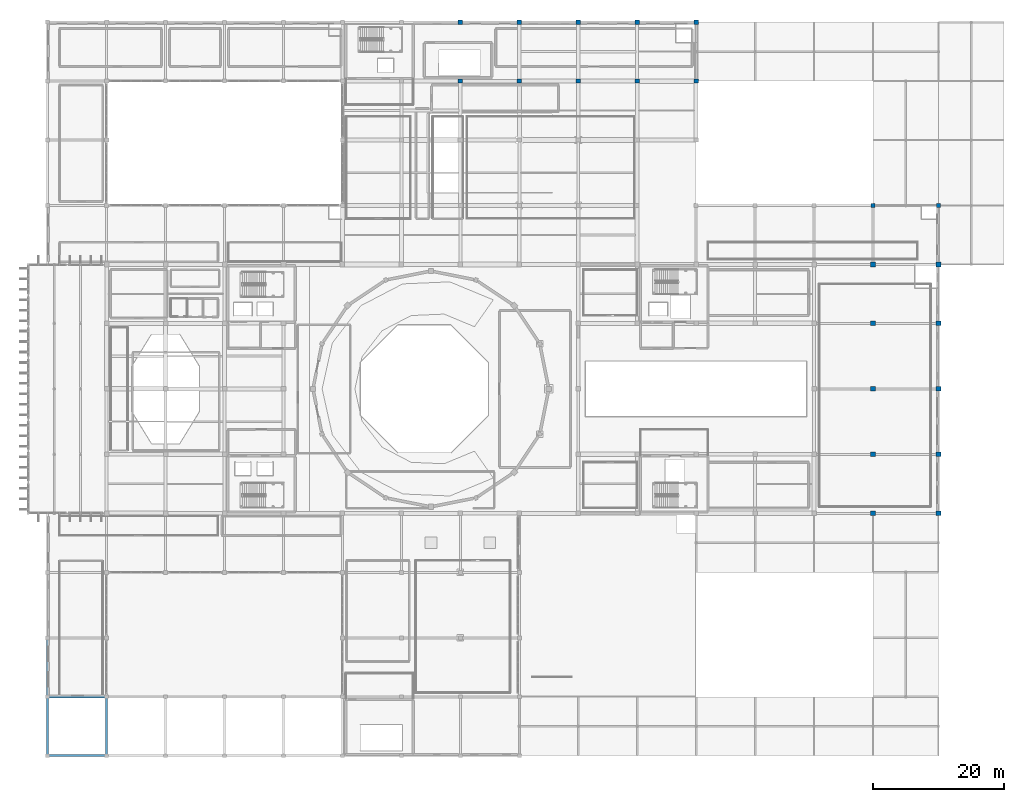
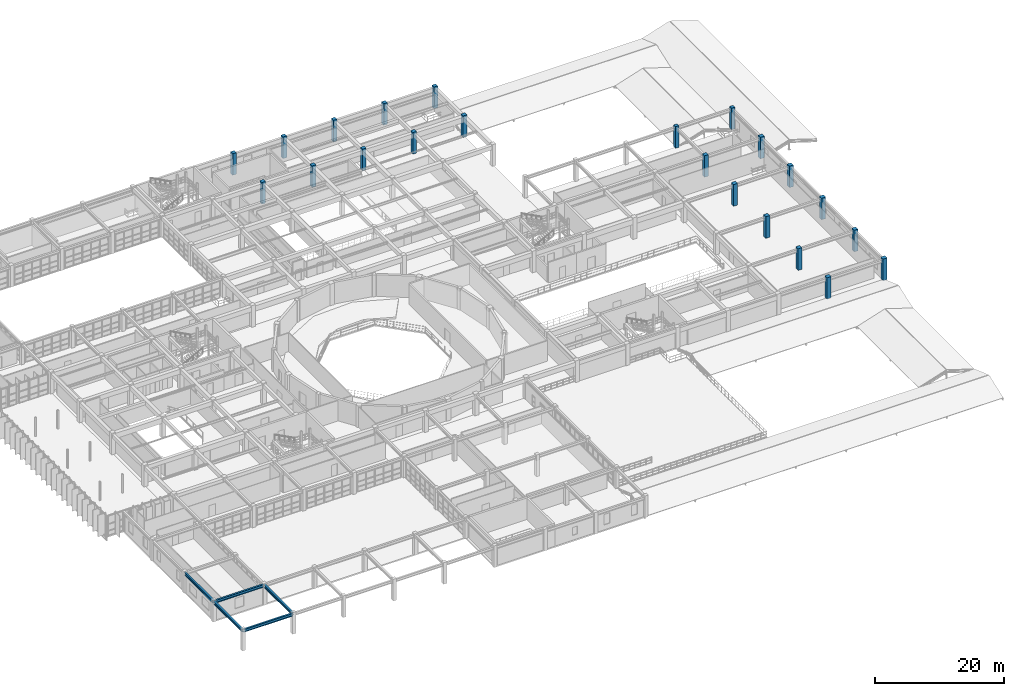
# One storey, part 10 of 110: 22 columns, 5 beams.
"""IFC4 building model written with IfcOpenShell, lengths in metres."""

from ifc_helpers import new_model, si_unit, direction, frame, origin, origin_2d, place, context, subcontext, project, spatial, rectangle, i_section, extrude, material, material_profile, profile_set, type_object, element, save


model = new_model("IFC4")

# Units and contexts
model_context = context("Model", 3, precision=1e-05, world=origin(), true_north=direction((0.0, 1.0)))
body_context = subcontext(model_context, "Body", "Model", "MODEL_VIEW")
ifc_project = project(units=[si_unit("LENGTHUNIT", "METRE"), si_unit("AREAUNIT", "SQUARE_METRE"), si_unit("VOLUMEUNIT", "CUBIC_METRE"), si_unit("PLANEANGLEUNIT", "RADIAN"), si_unit("MASSUNIT", "GRAM", prefix="KILO")], contexts=[model_context])

# Site, building, storey
site_placement = place(None, origin())
site = spatial("IfcSite", under=ifc_project, at=site_placement, CompositionType="ELEMENT")
building_placement = place(site_placement, origin())
building = spatial("IfcBuilding", under=site, at=building_placement, Name="Miravela Opera House", CompositionType="ELEMENT")
storey_placement = place(building_placement, frame((0.0, 0.0, 13.60009765625)))
storey = spatial("IfcBuildingStorey", under=building, at=storey_placement, Name="L03", CompositionType="ELEMENT", Elevation=13.60009765625)

# Columns
ifc_material_1 = material(Name="Concrete C35/45", Category="concrete")
ifc_material_profile_1 = material_profile(ifc_material_1, rectangle(XDim=0.60009765625, YDim=0.60009765625, at=origin_2d()), Name="RC-COL-600X600")
ifc_profile_set_1 = profile_set([ifc_material_profile_1])
column_type_1 = type_object("IfcColumnType", Name="STR-COL-RC600", PredefinedType="COLUMN", material=ifc_profile_set_1)
for number, where, z_axis, x_axis, name in (
    (1, (144.0, 84.0, 0.0), (0.0, 0.0, 1.0), (1.0, 0.0, 0.0), "Column C-17J (L03)"),
    (2, (154.0, 84.0, 0.0), (0.0, 0.0, 1.0), (1.0, 0.0, 0.0), "Column C-18J (L03)"),
):
    element("IfcColumn", number, at=place(storey_placement, frame(where, z_axis=z_axis, x_axis=x_axis)), inside=storey, type_object=column_type_1, Name=name, PredefinedType="COLUMN", context=body_context, shape_type="SweptSolid", body=[
        extrude(rectangle(XDim=0.60009765625, YDim=0.60009765625, at=origin_2d()), origin(), (0.0, 0.0, 1.0), 4.079833984375),
    ])
ifc_material_profile_2 = material_profile(ifc_material_1, rectangle(XDim=0.64990234375, YDim=0.64990234375, at=origin_2d()), Name="RC-COL-650X650")
ifc_profile_set_2 = profile_set([ifc_material_profile_2])
column_type_2 = type_object("IfcColumnType", Name="STR-COL-RC650", PredefinedType="COLUMN", material=ifc_profile_set_2)
for number, where, z_axis, x_axis, name in (
    (3, (81.0, 103.0, 0.0), (0.0, 0.0, 1.0), (1.0, 0.0, 0.0), "Column C-10L (L03)"),
    (4, (81.0, 112.0, 0.0), (0.0, 0.0, 1.0), (1.0, 0.0, 0.0), "Column C-10M (L03)"),
    (5, (90.0, 103.0, 0.0), (0.0, 0.0, 1.0), (1.0, 0.0, 0.0), "Column C-11L (L03)"),
    (6, (90.0, 112.0, 0.0), (0.0, 0.0, 1.0), (1.0, 0.0, 0.0), "Column C-11M (L03)"),
    (7, (99.0, 103.0, 0.0), (0.0, 0.0, 1.0), (1.0, 0.0, 0.0), "Column C-12L (L03)"),
    (8, (99.0, 112.0, 0.0), (0.0, 0.0, 1.0), (1.0, 0.0, 0.0), "Column C-12M (L03)"),
    (9, (108.0, 103.0, 0.0), (0.0, 0.0, 1.0), (1.0, 0.0, 0.0), "Column C-13L (L03)"),
    (10, (108.0, 112.0, 0.0), (0.0, 0.0, 1.0), (1.0, 0.0, 0.0), "Column C-13M (L03)"),
    (11, (117.0, 103.0, 0.0), (0.0, 0.0, 1.0), (1.0, 0.0, 0.0), "Column C-14L (L03)"),
    (12, (117.0, 112.0, 0.0), (0.0, 0.0, 1.0), (1.0, 0.0, 0.0), "Column C-14M (L03)"),
):
    element("IfcColumn", number, at=place(storey_placement, frame(where, z_axis=z_axis, x_axis=x_axis)), inside=storey, type_object=column_type_2, Name=name, PredefinedType="COLUMN", context=body_context, shape_type="SweptSolid", body=[
        extrude(rectangle(XDim=0.64990234375, YDim=0.64990234375, at=origin_2d()), origin(), (0.0, 0.0, 1.0), 4.079833984375),
    ])
ifc_material_profile_3 = material_profile(ifc_material_1, rectangle(XDim=0.699951171875, YDim=0.699951171875, at=origin_2d()), Name="RC-COL-700X700")
ifc_profile_set_3 = profile_set([ifc_material_profile_3])
column_type_3 = type_object("IfcColumnType", Name="STR-COL-RC700", PredefinedType="COLUMN", material=ifc_profile_set_3)
for number, where, z_axis, x_axis, name in (
    (13, (144.0, 37.0, 0.0), (0.0, 0.0, 1.0), (1.0, 0.0, 0.0), "Column C-17E (L03)"),
    (14, (144.0, 46.0, 0.0), (0.0, 0.0, 1.0), (1.0, 0.0, 0.0), "Column C-17F (L03)"),
    (15, (144.0, 56.0, 0.0), (0.0, 0.0, 1.0), (1.0, 0.0, 0.0), "Column C-17G (L03)"),
    (16, (144.0, 66.0, 0.0), (0.0, 0.0, 1.0), (1.0, 0.0, 0.0), "Column C-17H (L03)"),
    (17, (144.0, 75.0, 0.0), (0.0, 0.0, 1.0), (1.0, 0.0, 0.0), "Column C-17I (L03)"),
    (18, (154.0, 37.0, 0.0), (0.0, 0.0, 1.0), (1.0, 0.0, 0.0), "Column C-18E (L03)"),
    (19, (154.0, 46.0, 0.0), (0.0, 0.0, 1.0), (1.0, 0.0, 0.0), "Column C-18F (L03)"),
    (20, (154.0, 56.0, 0.0), (0.0, 0.0, 1.0), (1.0, 0.0, 0.0), "Column C-18G (L03)"),
    (21, (154.0, 66.0, 0.0), (0.0, 0.0, 1.0), (1.0, 0.0, 0.0), "Column C-18H (L03)"),
    (22, (154.0, 75.0, 0.0), (0.0, 0.0, 1.0), (1.0, 0.0, 0.0), "Column C-18I (L03)"),
):
    element("IfcColumn", number, at=place(storey_placement, frame(where, z_axis=z_axis, x_axis=x_axis)), inside=storey, type_object=column_type_3, Name=name, PredefinedType="COLUMN", context=body_context, shape_type="SweptSolid", body=[
        extrude(rectangle(XDim=0.699951171875, YDim=0.699951171875, at=origin_2d()), origin(), (0.0, 0.0, 1.0), 4.079833984375),
    ])

# Beams
ifc_material_2 = material(Name="Structural steel ASTM A992 Gr. 50", Category="steel")
ifc_material_profile_4 = material_profile(ifc_material_2, i_section(OverallWidth=0.31201171875, OverallDepth=0.54296875, WebThickness=0.0126953125, FlangeThickness=0.020263671875, FilletRadius=0.01611328125, at=origin_2d()), Name="W530X150")
ifc_profile_set_4 = profile_set([ifc_material_profile_4])
beam_type = type_object("IfcBeamType", Name="STR-BM-W530X150", PredefinedType="BEAM", material=ifc_profile_set_4)
for number, where, z_axis, x_axis, name in (
    (23, (18.080078125, 0.0, 3.568359375), (1.0, 0.0, 0.0), (0.0, 1.0, 0.0), "Roof Eave Girder ROOF-V4-WEST-S S1"),
    (24, (18.080078125, 9.0, 3.568359375), (1.0, 0.0, 0.0), (0.0, 1.0, 0.0), "Roof Eave Girder ROOF-V4-WEST-S N1"),
    (25, (18.0, 0.080078125, 3.568359375), (0.0, 1.0, 0.0), (-1.0, 0.0, 0.0), "Roof King-Post Transverse Tie Girder ROOF-V4-WEST-S T0.1"),
    (26, (27.0, 0.080078125, 3.568359375), (0.0, 1.0, 0.0), (-1.0, 0.0, 0.0), "Roof King-Post Transverse Tie Girder ROOF-V4-WEST-S T1.1"),
    (27, (18.0, 9.080078125, 3.568359375), (0.0, 1.0, 0.0), (-1.0, 0.0, 0.0), "Roof Eave Girder ROOF-V4-WEST-M W1"),
):
    element("IfcBeam", number, at=place(storey_placement, frame(where, z_axis=z_axis, x_axis=x_axis)), inside=storey, type_object=beam_type, Name=name, PredefinedType="BEAM", context=body_context, shape_type="SweptSolid", body=[
        extrude(i_section(OverallWidth=0.31201171875, OverallDepth=0.54296875, WebThickness=0.0126953125, FlangeThickness=0.020263671875, FilletRadius=0.01611328125, at=origin_2d()), origin(), (0.0, 0.0, 1.0), 8.83984375),
    ])

save(model, "model.ifc")
